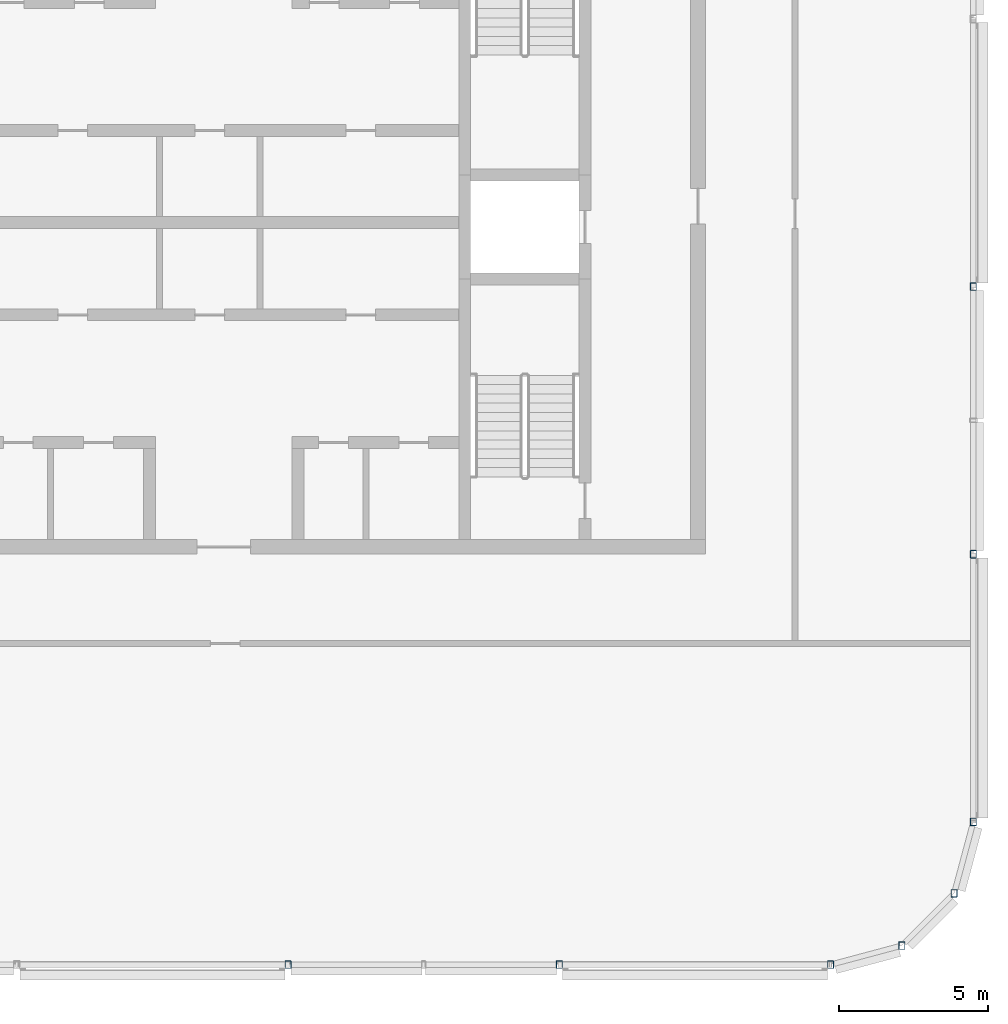
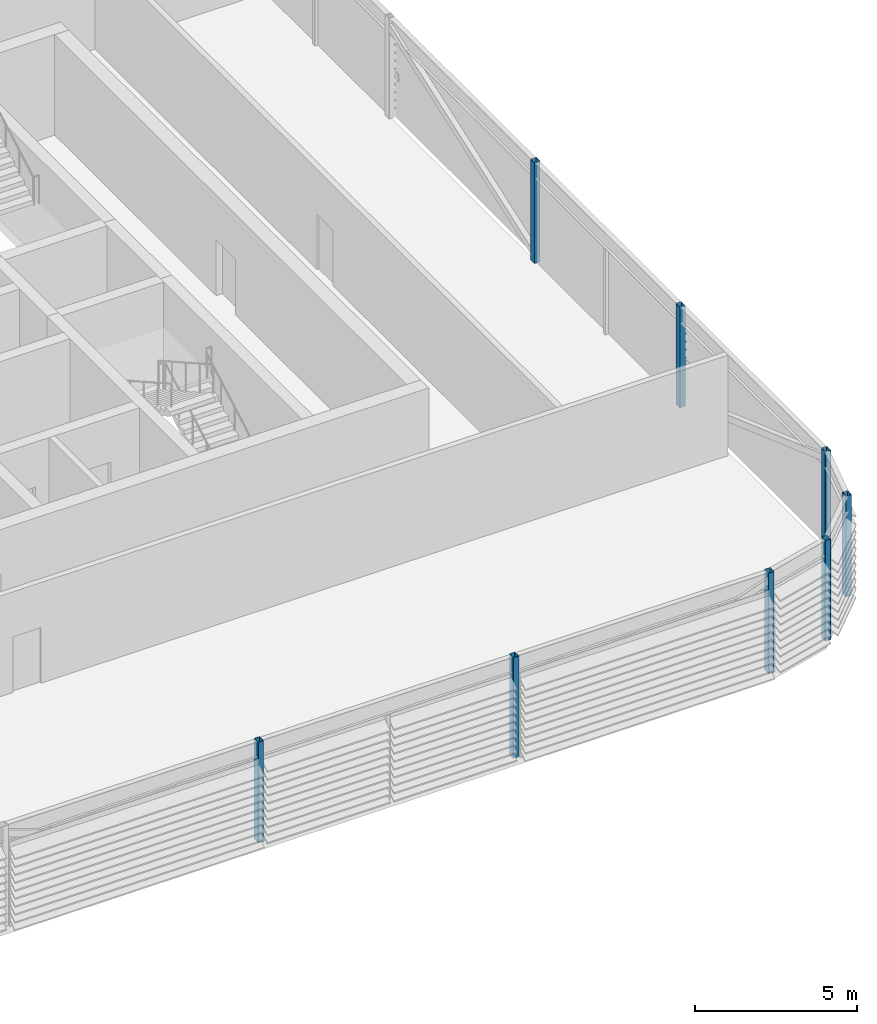
# One storey, part 2 of 28: 8 columns.
"""IFC4 building model written with IfcOpenShell, lengths in metres."""

from ifc_helpers import new_model, si_unit, direction, frame, origin, origin_2d, place, context, subcontext, project, spatial, hollow_rectangle, extrude, material, material_profile, profile_set, type_object, element, save


model = new_model("IFC4")

# Units and contexts
model_context = context("Model", 3, precision=1e-05, world=origin(), true_north=direction((0.0, 1.0)))
body_context = subcontext(model_context, "Body", "Model", "MODEL_VIEW")
ifc_project = project(units=[si_unit("LENGTHUNIT", "METRE"), si_unit("AREAUNIT", "SQUARE_METRE"), si_unit("VOLUMEUNIT", "CUBIC_METRE"), si_unit("PLANEANGLEUNIT", "RADIAN"), si_unit("MASSUNIT", "GRAM", prefix="KILO")], contexts=[model_context])

# Site, building, storey
site_placement = place(None, origin())
site = spatial("IfcSite", under=ifc_project, at=site_placement, CompositionType="ELEMENT")
building_placement = place(site_placement, origin())
building = spatial("IfcBuilding", under=site, at=building_placement, Name="Madar Terraces", CompositionType="ELEMENT")
storey_placement = place(building_placement, frame((0.0, 0.0, 305.89990234375)))
storey = spatial("IfcBuildingStorey", under=building, at=storey_placement, Name="L79", CompositionType="ELEMENT", Elevation=305.89990234375)

# Columns
ifc_material = material(Name="Steel ASTM A500 Grade C", Category="steel")
ifc_material_profile = material_profile(ifc_material, hollow_rectangle(XDim=0.203125, YDim=0.25390625, WallThickness=0.009521484375, InnerFilletRadius=0.00439453125, OuterFilletRadius=0.01318359375, at=origin_2d()), Name="HSS10x8x.375")
ifc_profile_set = profile_set([ifc_material_profile], Name="Steel ASTM A500 Grade C")
column_type = type_object("IfcColumnType", Name="CF1 HSS10x8x.375", PredefinedType="COLUMN", material=ifc_profile_set)
for number, where, z_axis, x_axis, name in (
    (1, (33.360107421875, 1.199951171875, 0.0), (0.0, 0.0, 1.0), (1.0, 0.0, 0.0), "Crown frame column CF1"),
    (2, (42.47998046875, 1.199951171875, 0.0), (0.0, 0.0, 1.0), (1.0, 0.0, 0.0), "Crown frame column CF1"),
    (3, (51.60009765625, 1.199951171875, 0.0), (0.0, 0.0, 1.0), (1.0, 0.0, 0.0), "Crown frame column CF1"),
    (4, (54.0, 1.843017578125, 0.0), (0.0, 0.0, 1.0), (1.0, 0.0, 0.0), "Crown frame column CF1"),
    (5, (55.7568359375, 3.60009765625, 0.0), (0.0, 0.0, 1.0), (1.0, 0.0, 0.0), "Crown frame column CF1"),
    (6, (56.39990234375, 6.0, 0.0), (0.0, 0.0, 1.0), (1.0, 0.0, 0.0), "Crown frame column CF1"),
    (7, (56.39990234375, 15.0, 0.0), (0.0, 0.0, 1.0), (1.0, 0.0, 0.0), "Crown frame column CF1"),
    (8, (56.39990234375, 24.0, 0.0), (0.0, 0.0, 1.0), (1.0, 0.0, 0.0), "Crown frame column CF1"),
):
    element("IfcColumn", number, at=place(storey_placement, frame(where, z_axis=z_axis, x_axis=x_axis)), inside=storey, type_object=column_type, Name=name, PredefinedType="COLUMN", context=body_context, shape_type="SweptSolid", body=[
        extrude(hollow_rectangle(XDim=0.203125, YDim=0.25390625, WallThickness=0.009521484375, InnerFilletRadius=0.00439453125, OuterFilletRadius=0.01318359375, at=origin_2d()), origin(), (0.0, 0.0, 1.0), 3.800048828125),
    ])

save(model, "model.ifc")
